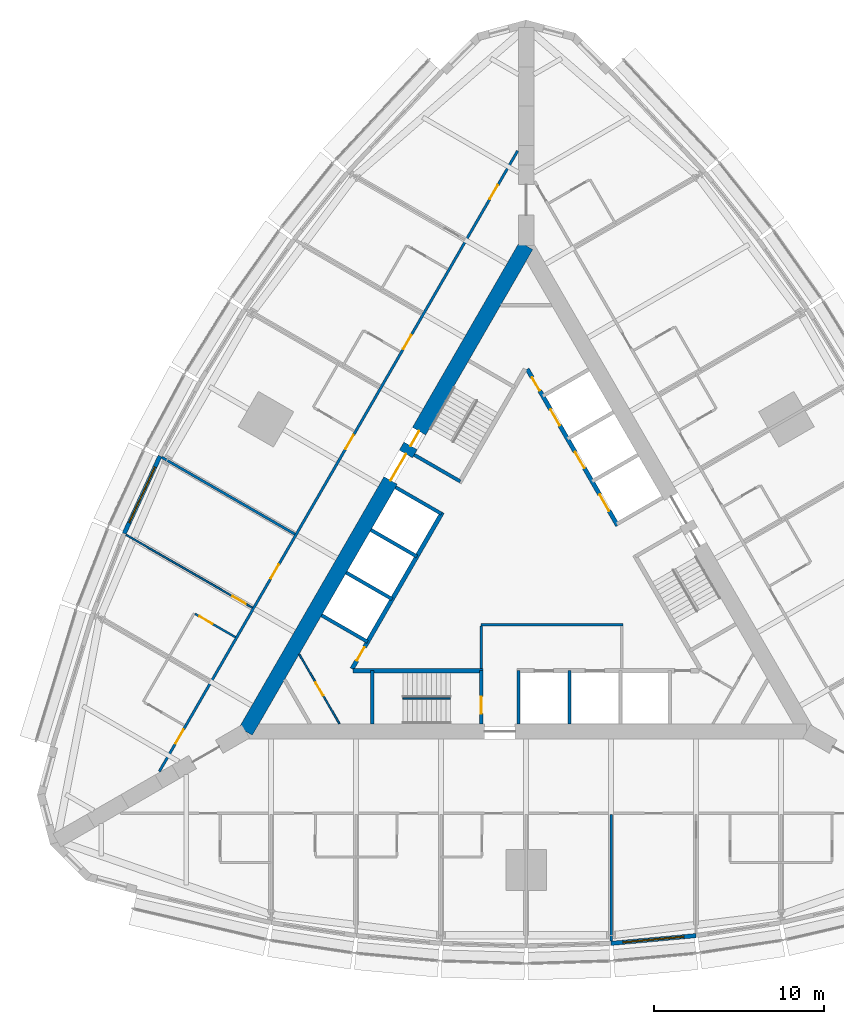
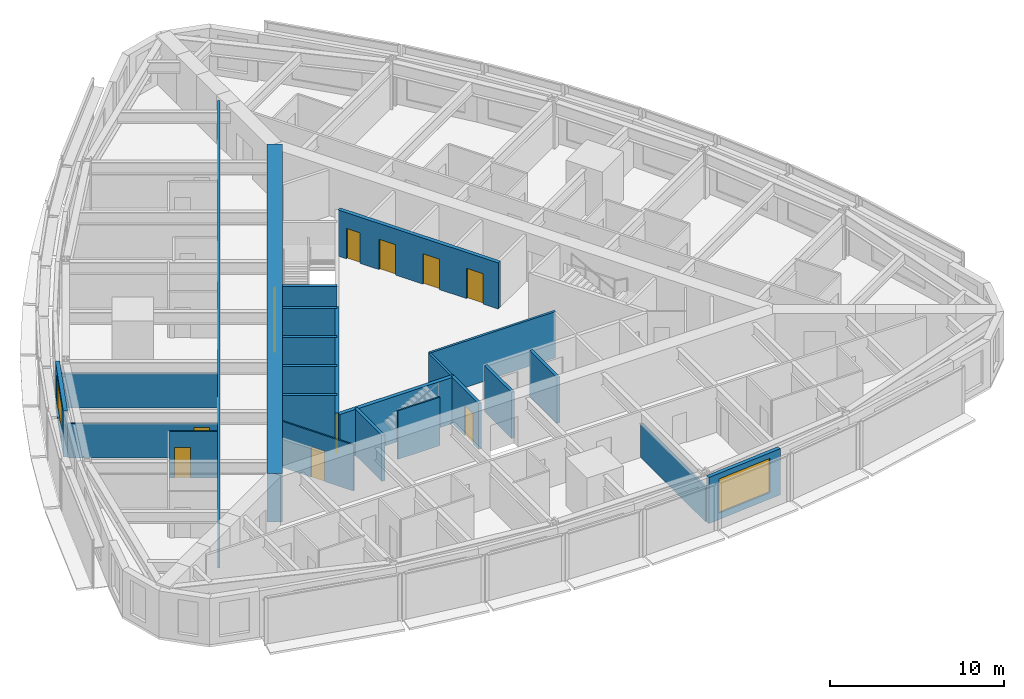
# One storey, part 9 of 14: 24 walls, 16 doors, 2 windows, 18 openings.
"""IFC4 building model written with IfcOpenShell, lengths in metres."""

from ifc_helpers import new_model, si_unit, direction, frame, frame_2d, origin, place, context, subcontext, project, spatial, rectangle, extrude, material, layer, layer_set, type_object, element, fill, save


model = new_model("IFC4")

# Units and contexts
model_context = context("Model", 3, precision=1e-05, world=origin(), true_north=direction((0.0, 1.0)))
body_context = subcontext(model_context, "Body", "Model", "MODEL_VIEW")
ifc_project = project(units=[si_unit("LENGTHUNIT", "METRE"), si_unit("AREAUNIT", "SQUARE_METRE"), si_unit("VOLUMEUNIT", "CUBIC_METRE"), si_unit("PLANEANGLEUNIT", "RADIAN"), si_unit("MASSUNIT", "GRAM", prefix="KILO")], contexts=[model_context])

# Site, building, storey
site_placement = place(None, origin())
site = spatial("IfcSite", under=ifc_project, at=site_placement, CompositionType="ELEMENT")
building_placement = place(site_placement, origin())
building = spatial("IfcBuilding", under=site, at=building_placement, Name="Trikona Tower", CompositionType="ELEMENT")
storey_placement = place(building_placement, frame((0.0, 0.0, 62.5)))
storey = spatial("IfcBuildingStorey", under=building, at=storey_placement, Name="L15", CompositionType="ELEMENT", Elevation=62.5)

# Wall, opening, door
ifc_material_1 = material(Name="Metal stud and cement board", Category="gypsum")
ifc_layer_1 = layer(ifc_material_1, 0.1201171875)
ifc_layer_set_1 = layer_set([ifc_layer_1], Name="Bathroom wall 120")
wall_type_1 = type_object("IfcWallType", Name="Bathroom wall 120", PredefinedType="PLUMBINGWALL", material=ifc_layer_set_1)
wall_1_placement = place(storey_placement, frame((-17.10791015625, -3.979248046875, 0.0), z_axis=(0.0, 0.0, 1.0), x_axis=(-0.865997131366, 0.500048966069, 0.0)))
wall_1 = element("IfcWall", 1, at=wall_1_placement, inside=storey, type_object=wall_type_1, Name="Bathroom wall 1516.1", PredefinedType="PLUMBINGWALL", context=body_context, shape_type="SweptSolid", body=[
    extrude(rectangle(XDim=2.739990234375, YDim=0.1201171875, at=frame_2d((1.3701171875, 0.0))), origin(), (0.0, 0.0, 1.0), 3.235107421875),
])
opening_1_placement = place(wall_1_placement, frame((1.550048828125, 0.0, 0.0)))
opening_1 = element("IfcOpeningElement", 2, at=opening_1_placement, cuts=wall_1, Name="Opening D2", PredefinedType="OPENING", context=body_context, shape_type="SweptSolid", body=[
    extrude(rectangle(XDim=0.89990234375, YDim=2.1298828125, at=frame_2d((0.449951171875, 1.06494140625))), frame((0.0, 0.070068359375, 0.0), z_axis=(0.0, -1.0, 0.0), x_axis=(1.0, 0.0, 0.0)), (0.0, 0.0, 1.0), 0.14013671875),
])
ifc_material_2 = material(Name="Steel door frame with solid-core timber leaf", Category="steel")
door_type_1 = type_object("IfcDoorType", Name="Bathroom door 900x2130", OperationType="SLIDING_TO_LEFT", PredefinedType="DOOR", material=ifc_material_2)
door_1_placement = place(opening_1_placement, origin())
door_1 = element("IfcDoor", 3, at=door_1_placement, inside=storey, type_object=door_type_1, Name="Bathroom door 1516.1", OperationType="SLIDING_TO_LEFT", OverallHeight=2.1298828125, OverallWidth=0.89990234375, PredefinedType="DOOR", context=body_context, shape_type="SweptSolid", body=[
    extrude(rectangle(XDim=0.89990234375, YDim=2.1298828125, at=frame_2d((0.449951171875, 1.06494140625))), frame((0.0, 0.02490234375, 0.0), z_axis=(0.0, -1.0, 0.0), x_axis=(1.0, 0.0, 0.0)), (0.0, 0.0, 1.0), 0.050048828125),
])
fill(opening_1, door_1)

# Wall, openings, doors
ifc_material_3 = material(Name="Concrete f'c 10000 psi", Category="concrete")
ifc_layer_2 = layer(ifc_material_3, 0.89990234375)
ifc_layer_set_2 = layer_set([ifc_layer_2], Name="Core wall 900")
wall_type_2 = type_object("IfcWallType", Name="Core wall 900", PredefinedType="SHEAR", material=ifc_layer_set_2)
wall_2_placement = place(storey_placement, frame((0.0, 19.052490234375, 0.0), z_axis=(0.0, 0.0, 1.0), x_axis=(-0.499999749417, -0.866025548458, 0.0)))
wall_2 = element("IfcWall", 4, at=wall_2_placement, inside=storey, type_object=wall_type_2, Name="Core wall C", PredefinedType="SHEAR", context=body_context, shape_type="SweptSolid", body=[
    extrude(rectangle(XDim=33.0, YDim=0.89990234375, at=frame_2d((16.5, 0.0))), origin(), (0.0, 0.0, 1.0), 3.39990234375),
])
opening_2_placement = place(wall_2_placement, frame((14.14990234375, 0.0, 0.0)))
opening_2 = element("IfcOpeningElement", 5, at=opening_2_placement, cuts=wall_2, Name="Opening D6", PredefinedType="OPENING", context=body_context, shape_type="SweptSolid", body=[
    extrude(rectangle(XDim=1.800048828125, YDim=2.1298828125, at=frame_2d((0.89990234375, 1.06494140625))), frame((0.0, 0.4599609375, 0.0), z_axis=(0.0, -1.0, 0.0), x_axis=(1.0, 0.0, 0.0)), (0.0, 0.0, 1.0), 0.919921875),
])
opening_3_placement = place(wall_2_placement, frame((12.60009765625, 0.0, 0.0)))
opening_3 = element("IfcOpeningElement", 6, at=opening_3_placement, cuts=wall_2, Name="Opening D5", PredefinedType="OPENING", context=body_context, shape_type="SweptSolid", body=[
    extrude(rectangle(XDim=1.0, YDim=2.1298828125, at=frame_2d((0.5, 1.06494140625))), frame((0.0, 0.4599609375, 0.0), z_axis=(0.0, -1.0, 0.0), x_axis=(1.0, 0.0, 0.0)), (0.0, 0.0, 1.0), 0.919921875),
])
ifc_material_4 = material(Name="Hollow metal door and frame", Category="steel")
door_type_2 = type_object("IfcDoorType", Name="Lobby door pair 1800x2130", OperationType="DOUBLE_DOOR_SINGLE_SWING", PredefinedType="DOOR", material=ifc_material_4)
door_2_placement = place(opening_2_placement, origin())
door_2 = element("IfcDoor", 7, at=door_2_placement, inside=storey, type_object=door_type_2, Name="Lift lobby door C", OperationType="DOUBLE_DOOR_SINGLE_SWING", OverallHeight=2.1298828125, OverallWidth=1.800048828125, PredefinedType="DOOR", context=body_context, shape_type="SweptSolid", body=[
    extrude(rectangle(XDim=1.800048828125, YDim=2.1298828125, at=frame_2d((0.89990234375, 1.06494140625))), frame((0.0, 0.02490234375, 0.0), z_axis=(0.0, -1.0, 0.0), x_axis=(1.0, 0.0, 0.0)), (0.0, 0.0, 1.0), 0.050048828125),
])
fill(opening_2, door_2)
ifc_material_5 = material(Name="Hollow metal door and frame", Category="steel")
door_type_3 = type_object("IfcDoorType", Name="Stair door 1000x2130", OperationType="SINGLE_SWING_LEFT", PredefinedType="DOOR", material=ifc_material_5)
door_3_placement = place(opening_3_placement, origin())
door_3 = element("IfcDoor", 8, at=door_3_placement, inside=storey, type_object=door_type_3, Name="Stair C door", OperationType="SINGLE_SWING_RIGHT", OverallHeight=2.1298828125, OverallWidth=1.0, PredefinedType="DOOR", context=body_context, shape_type="SweptSolid", body=[
    extrude(rectangle(XDim=1.0, YDim=2.1298828125, at=frame_2d((0.5, 1.06494140625))), frame((0.0, 0.02490234375, 0.0), z_axis=(0.0, -1.0, 0.0), x_axis=(1.0, 0.0, 0.0)), (0.0, 0.0, 1.0), 0.050048828125),
])
fill(opening_3, door_3)

ifc_material_6 = material(Name="Metal stud and gypsum board, 1-hour", Category="gypsum")
ifc_layer_3 = layer(ifc_material_6, 0.14990234375)
ifc_layer_set_3 = layer_set([ifc_layer_3], Name="Corridor wall 150")
wall_type_3 = type_object("IfcWallType", Name="Corridor wall 150", PredefinedType="PARTITIONING", material=ifc_layer_set_3)
wall_3_placement = place(storey_placement, frame((-0.5, 24.636474609375, 0.0), z_axis=(0.0, 0.0, 1.0), x_axis=(-0.500001915564, -0.86602429783, 0.0)))
wall_3 = element("IfcWall", 9, at=wall_3_placement, inside=storey, type_object=wall_type_3, Name="Corridor wall L15-3", PredefinedType="PARTITIONING", context=body_context, shape_type="SweptSolid", body=[
    extrude(rectangle(XDim=42.171630859375, YDim=0.14990234375, at=frame_2d((21.0859375, 0.0))), origin(), (0.0, 0.0, 1.0), 3.235107421875),
])
opening_4_placement = place(wall_3_placement, frame((2.337646484375, 0.0, 0.0)))
opening_4 = element("IfcOpeningElement", 10, at=opening_4_placement, cuts=wall_3, Name="Opening D1", PredefinedType="OPENING", context=body_context, shape_type="SweptSolid", body=[
    extrude(rectangle(XDim=0.949951171875, YDim=2.1298828125, at=frame_2d((0.47509765625, 1.06494140625))), frame((0.0, 0.0849609375, 0.0), z_axis=(0.0, -1.0, 0.0), x_axis=(1.0, 0.0, 0.0)), (0.0, 0.0, 1.0), 0.169921875),
])
opening_5_placement = place(wall_3_placement, frame((12.510986328125, 0.0, 0.0)))
opening_5 = element("IfcOpeningElement", 11, at=opening_5_placement, cuts=wall_3, Name="Opening D1", PredefinedType="OPENING", context=body_context, shape_type="SweptSolid", body=[
    extrude(rectangle(XDim=0.949951171875, YDim=2.1298828125, at=frame_2d((0.47509765625, 1.06494140625))), frame((0.0, 0.0849609375, 0.0), z_axis=(0.0, -1.0, 0.0), x_axis=(1.0, 0.0, 0.0)), (0.0, 0.0, 1.0), 0.169921875),
])
opening_6_placement = place(wall_3_placement, frame((19.310791015625, 0.0, 0.0)))
opening_6 = element("IfcOpeningElement", 12, at=opening_6_placement, cuts=wall_3, Name="Opening D1", PredefinedType="OPENING", context=body_context, shape_type="SweptSolid", body=[
    extrude(rectangle(XDim=0.949951171875, YDim=2.1298828125, at=frame_2d((0.47509765625, 1.06494140625))), frame((0.0, 0.0849609375, 0.0), z_axis=(0.0, -1.0, 0.0), x_axis=(1.0, 0.0, 0.0)), (0.0, 0.0, 1.0), 0.169921875),
])
opening_7_placement = place(wall_3_placement, frame((28.11083984375, 0.0, 0.0)))
opening_7 = element("IfcOpeningElement", 13, at=opening_7_placement, cuts=wall_3, Name="Opening D1", PredefinedType="OPENING", context=body_context, shape_type="SweptSolid", body=[
    extrude(rectangle(XDim=0.949951171875, YDim=2.1298828125, at=frame_2d((0.47509765625, 1.06494140625))), frame((0.0, 0.0849609375, 0.0), z_axis=(0.0, -1.0, 0.0), x_axis=(1.0, 0.0, 0.0)), (0.0, 0.0, 1.0), 0.169921875),
])
opening_8_placement = place(wall_3_placement, frame((39.310791015625, 0.0, 0.0)))
opening_8 = element("IfcOpeningElement", 14, at=opening_8_placement, cuts=wall_3, Name="Opening D1", PredefinedType="OPENING", context=body_context, shape_type="SweptSolid", body=[
    extrude(rectangle(XDim=0.949951171875, YDim=2.1298828125, at=frame_2d((0.47509765625, 1.06494140625))), frame((0.0, 0.0849609375, 0.0), z_axis=(0.0, -1.0, 0.0), x_axis=(1.0, 0.0, 0.0)), (0.0, 0.0, 1.0), 0.169921875),
])
ifc_material_7 = material(Name="Steel door frame with solid-core timber leaf", Category="steel")
door_type_4 = type_object("IfcDoorType", Name="Guest room door 950x2130", OperationType="SINGLE_SWING_LEFT", PredefinedType="DOOR", material=ifc_material_7)
door_4_placement = place(opening_4_placement, origin())
door_4 = element("IfcDoor", 15, at=door_4_placement, inside=storey, type_object=door_type_4, Name="Room door 1513", OperationType="SINGLE_SWING_LEFT", OverallHeight=2.1298828125, OverallWidth=0.949951171875, PredefinedType="DOOR", context=body_context, shape_type="SweptSolid", body=[
    extrude(rectangle(XDim=0.949951171875, YDim=2.1298828125, at=frame_2d((0.47509765625, 1.06494140625))), frame((0.0, 0.02490234375, 0.0), z_axis=(0.0, -1.0, 0.0), x_axis=(1.0, 0.0, 0.0)), (0.0, 0.0, 1.0), 0.050048828125),
])
fill(opening_4, door_4)
door_5_placement = place(opening_5_placement, origin())
door_5 = element("IfcDoor", 16, at=door_5_placement, inside=storey, type_object=door_type_4, Name="Room door 1514", OperationType="SINGLE_SWING_RIGHT", OverallHeight=2.1298828125, OverallWidth=0.949951171875, PredefinedType="DOOR", context=body_context, shape_type="SweptSolid", body=[
    extrude(rectangle(XDim=0.949951171875, YDim=2.1298828125, at=frame_2d((0.47509765625, 1.06494140625))), frame((0.0, 0.02490234375, 0.0), z_axis=(0.0, -1.0, 0.0), x_axis=(1.0, 0.0, 0.0)), (0.0, 0.0, 1.0), 0.050048828125),
])
fill(opening_5, door_5)
door_6_placement = place(opening_6_placement, origin())
door_6 = element("IfcDoor", 17, at=door_6_placement, inside=storey, type_object=door_type_4, Name="Room door 1515", OperationType="SINGLE_SWING_LEFT", OverallHeight=2.1298828125, OverallWidth=0.949951171875, PredefinedType="DOOR", context=body_context, shape_type="SweptSolid", body=[
    extrude(rectangle(XDim=0.949951171875, YDim=2.1298828125, at=frame_2d((0.47509765625, 1.06494140625))), frame((0.0, 0.02490234375, 0.0), z_axis=(0.0, -1.0, 0.0), x_axis=(1.0, 0.0, 0.0)), (0.0, 0.0, 1.0), 0.050048828125),
])
fill(opening_6, door_6)
door_7_placement = place(opening_7_placement, origin())
door_7 = element("IfcDoor", 18, at=door_7_placement, inside=storey, type_object=door_type_4, Name="Room door 1516", OperationType="SINGLE_SWING_RIGHT", OverallHeight=2.1298828125, OverallWidth=0.949951171875, PredefinedType="DOOR", context=body_context, shape_type="SweptSolid", body=[
    extrude(rectangle(XDim=0.949951171875, YDim=2.1298828125, at=frame_2d((0.47509765625, 1.06494140625))), frame((0.0, 0.02490234375, 0.0), z_axis=(0.0, -1.0, 0.0), x_axis=(1.0, 0.0, 0.0)), (0.0, 0.0, 1.0), 0.050048828125),
])
fill(opening_7, door_7)
door_8_placement = place(opening_8_placement, origin())
door_8 = element("IfcDoor", 19, at=door_8_placement, inside=storey, type_object=door_type_4, Name="Room door 1517", OperationType="SINGLE_SWING_RIGHT", OverallHeight=2.1298828125, OverallWidth=0.949951171875, PredefinedType="DOOR", context=body_context, shape_type="SweptSolid", body=[
    extrude(rectangle(XDim=0.949951171875, YDim=2.1298828125, at=frame_2d((0.47509765625, 1.06494140625))), frame((0.0, 0.02490234375, 0.0), z_axis=(0.0, -1.0, 0.0), x_axis=(1.0, 0.0, 0.0)), (0.0, 0.0, 1.0), 0.050048828125),
])
fill(opening_8, door_8)

# Wall
ifc_material_8 = material(Name="Concrete f'c 8000 psi", Category="concrete")
ifc_layer_4 = layer(ifc_material_8, 0.25)
ifc_layer_set_4 = layer_set([ifc_layer_4], Name="Hub wall 250")
wall_type_4 = type_object("IfcWallType", Name="Hub wall 250", PredefinedType="SOLIDWALL", material=ifc_layer_set_4)
wall_4_placement = place(storey_placement, frame((-10.182861328125, -5.951416015625, 0.0), z_axis=(0.0, 0.0, 1.0), x_axis=(1.0, 0.0, 0.0)))
element("IfcWall", 20, at=wall_4_placement, inside=storey, type_object=wall_type_4, Name="Lift lobby wall A1", PredefinedType="SOLIDWALL", context=body_context, shape_type="SweptSolid", body=[
    extrude(rectangle(XDim=7.6328125, YDim=0.25, at=frame_2d((3.81640625, 0.0))), origin(), (0.0, 0.0, 1.0), 3.235107421875),
])

# Wall, openings, doors
wall_5_placement = place(storey_placement, frame((5.37890625, 2.5859375, 0.0), z_axis=(0.0, 0.0, 1.0), x_axis=(-0.500001375892, 0.866024609411, 0.0)))
wall_5 = element("IfcWall", 21, at=wall_5_placement, inside=storey, type_object=wall_type_4, Name="Lift lobby wall B2", PredefinedType="SOLIDWALL", context=body_context, shape_type="SweptSolid", body=[
    extrude(rectangle(XDim=10.6328125, YDim=0.25, at=frame_2d((5.31640625, 0.0))), origin(), (0.0, 0.0, 1.0), 3.235107421875),
])
opening_9_placement = place(wall_5_placement, frame((9.1640625, 0.0, 0.0)))
opening_9 = element("IfcOpeningElement", 22, at=opening_9_placement, cuts=wall_5, Name="Opening D14", PredefinedType="OPENING", context=body_context, shape_type="SweptSolid", body=[
    extrude(rectangle(XDim=0.89990234375, YDim=2.1298828125, at=frame_2d((0.449951171875, 1.06494140625))), frame((0.0, 0.135009765625, 0.0), z_axis=(0.0, -1.0, 0.0), x_axis=(1.0, 0.0, 0.0)), (0.0, 0.0, 1.0), 0.27001953125),
])
opening_10_placement = place(wall_5_placement, frame((1.0, 0.0, 0.0)))
opening_10 = element("IfcOpeningElement", 23, at=opening_10_placement, cuts=wall_5, Name="Opening LD", PredefinedType="OPENING", context=body_context, shape_type="SweptSolid", body=[
    extrude(rectangle(XDim=1.10009765625, YDim=2.1298828125, at=frame_2d((0.550048828125, 1.06494140625))), frame((0.0, 0.135009765625, 0.0), z_axis=(0.0, -1.0, 0.0), x_axis=(1.0, 0.0, 0.0)), (0.0, 0.0, 1.0), 0.27001953125),
])
opening_11_placement = place(wall_5_placement, frame((3.89990234375, 0.0, 0.0)))
opening_11 = element("IfcOpeningElement", 24, at=opening_11_placement, cuts=wall_5, Name="Opening LD", PredefinedType="OPENING", context=body_context, shape_type="SweptSolid", body=[
    extrude(rectangle(XDim=1.10009765625, YDim=2.1298828125, at=frame_2d((0.550048828125, 1.06494140625))), frame((0.0, 0.135009765625, 0.0), z_axis=(0.0, -1.0, 0.0), x_axis=(1.0, 0.0, 0.0)), (0.0, 0.0, 1.0), 0.27001953125),
])
opening_12_placement = place(wall_5_placement, frame((6.800048828125, 0.0, 0.0)))
opening_12 = element("IfcOpeningElement", 25, at=opening_12_placement, cuts=wall_5, Name="Opening LD", PredefinedType="OPENING", context=body_context, shape_type="SweptSolid", body=[
    extrude(rectangle(XDim=1.10009765625, YDim=2.1298828125, at=frame_2d((0.550048828125, 1.06494140625))), frame((0.0, 0.135009765625, 0.0), z_axis=(0.0, -1.0, 0.0), x_axis=(1.0, 0.0, 0.0)), (0.0, 0.0, 1.0), 0.27001953125),
])
ifc_material_9 = material(Name="Stainless steel lift landing door", Category="steel")
door_type_5 = type_object("IfcDoorType", Name="Lift landing door 1100x2130", OperationType="DOUBLE_DOOR_SLIDING", PredefinedType="USERDEFINED", material=ifc_material_9)
door_9_placement = place(opening_10_placement, origin())
door_9 = element("IfcDoor", 26, at=door_9_placement, inside=storey, type_object=door_type_5, Name="Lift landing door L1-1", ObjectType="LIFT LANDING DOOR", OperationType="DOUBLE_DOOR_SLIDING", OverallHeight=2.1298828125, OverallWidth=1.10009765625, PredefinedType="USERDEFINED", context=body_context, shape_type="SweptSolid", body=[
    extrude(rectangle(XDim=1.10009765625, YDim=2.1298828125, at=frame_2d((0.550048828125, 1.06494140625))), frame((0.0, 0.02490234375, 0.0), z_axis=(0.0, -1.0, 0.0), x_axis=(1.0, 0.0, 0.0)), (0.0, 0.0, 1.0), 0.050048828125),
])
fill(opening_10, door_9)
door_10_placement = place(opening_11_placement, origin())
door_10 = element("IfcDoor", 27, at=door_10_placement, inside=storey, type_object=door_type_5, Name="Lift landing door L1-2", ObjectType="LIFT LANDING DOOR", OperationType="DOUBLE_DOOR_SLIDING", OverallHeight=2.1298828125, OverallWidth=1.10009765625, PredefinedType="USERDEFINED", context=body_context, shape_type="SweptSolid", body=[
    extrude(rectangle(XDim=1.10009765625, YDim=2.1298828125, at=frame_2d((0.550048828125, 1.06494140625))), frame((0.0, 0.02490234375, 0.0), z_axis=(0.0, -1.0, 0.0), x_axis=(1.0, 0.0, 0.0)), (0.0, 0.0, 1.0), 0.050048828125),
])
fill(opening_11, door_10)
door_11_placement = place(opening_12_placement, origin())
door_11 = element("IfcDoor", 28, at=door_11_placement, inside=storey, type_object=door_type_5, Name="Lift landing door L1-3", ObjectType="LIFT LANDING DOOR", OperationType="DOUBLE_DOOR_SLIDING", OverallHeight=2.1298828125, OverallWidth=1.10009765625, PredefinedType="USERDEFINED", context=body_context, shape_type="SweptSolid", body=[
    extrude(rectangle(XDim=1.10009765625, YDim=2.1298828125, at=frame_2d((0.550048828125, 1.06494140625))), frame((0.0, 0.02490234375, 0.0), z_axis=(0.0, -1.0, 0.0), x_axis=(1.0, 0.0, 0.0)), (0.0, 0.0, 1.0), 0.050048828125),
])
fill(opening_12, door_11)
ifc_material_10 = material(Name="Hollow metal door and frame", Category="steel")
door_type_6 = type_object("IfcDoorType", Name="Service room door 900x2130", OperationType="SINGLE_SWING_LEFT", PredefinedType="DOOR", material=ifc_material_10)
door_12_placement = place(opening_9_placement, origin())
door_12 = element("IfcDoor", 29, at=door_12_placement, inside=storey, type_object=door_type_6, Name="Door Ice and vending ICE", OperationType="SINGLE_SWING_RIGHT", OverallHeight=2.1298828125, OverallWidth=0.89990234375, PredefinedType="DOOR", context=body_context, shape_type="SweptSolid", body=[
    extrude(rectangle(XDim=0.89990234375, YDim=2.1298828125, at=frame_2d((0.449951171875, 1.06494140625))), frame((0.0, 0.02490234375, 0.0), z_axis=(0.0, -1.0, 0.0), x_axis=(1.0, 0.0, 0.0)), (0.0, 0.0, 1.0), 0.050048828125),
])
fill(opening_9, door_12)

# Wall, opening, door
wall_6_placement = place(storey_placement, frame((-4.928955078125, 3.365478515625, 0.0), z_axis=(0.0, 0.0, 1.0), x_axis=(-0.499991433582, -0.866030349552, 0.0)))
wall_6 = element("IfcWall", 30, at=wall_6_placement, inside=storey, type_object=wall_type_4, Name="Lift lobby wall C2", PredefinedType="SOLIDWALL", context=body_context, shape_type="SweptSolid", body=[
    extrude(rectangle(XDim=10.633056640625, YDim=0.25, at=frame_2d((5.31640625, 0.0))), origin(), (0.0, 0.0, 1.0), 3.235107421875),
])
opening_13_placement = place(wall_6_placement, frame((9.1640625, 0.0, 0.0)))
opening_13 = element("IfcOpeningElement", 31, at=opening_13_placement, cuts=wall_6, Name="Opening D14", PredefinedType="OPENING", context=body_context, shape_type="SweptSolid", body=[
    extrude(rectangle(XDim=0.89990234375, YDim=2.1298828125, at=frame_2d((0.449951171875, 1.06494140625))), frame((0.0, 0.135009765625, 0.0), z_axis=(0.0, -1.0, 0.0), x_axis=(1.0, 0.0, 0.0)), (0.0, 0.0, 1.0), 0.27001953125),
])
door_13_placement = place(opening_13_placement, origin())
door_13 = element("IfcDoor", 32, at=door_13_placement, inside=storey, type_object=door_type_6, Name="Door Housekeeping store HKS", OperationType="SINGLE_SWING_RIGHT", OverallHeight=2.1298828125, OverallWidth=0.89990234375, PredefinedType="DOOR", context=body_context, shape_type="SweptSolid", body=[
    extrude(rectangle(XDim=0.89990234375, YDim=2.1298828125, at=frame_2d((0.449951171875, 1.06494140625))), frame((0.0, 0.02490234375, 0.0), z_axis=(0.0, -1.0, 0.0), x_axis=(1.0, 0.0, 0.0)), (0.0, 0.0, 1.0), 0.050048828125),
])
fill(opening_13, door_13)

# Wall, opening, window
ifc_material_11 = material(Name="Insulated precast concrete spandrel panel", Category="concrete")
ifc_layer_5 = layer(ifc_material_11, 0.25)
ifc_layer_set_5 = layer_set([ifc_layer_5], Name="Inner skin wall 250")
wall_type_5 = type_object("IfcWallType", Name="Inner skin wall 250", PredefinedType="STANDARD", material=ifc_layer_set_5)
wall_7_placement = place(storey_placement, frame((4.988525390625, -21.995849609375, 0.0), z_axis=(0.0, 0.0, 1.0), x_axis=(0.995857256774, 0.090930325692, 0.0)))
wall_7 = element("IfcWall", 33, at=wall_7_placement, inside=storey, type_object=wall_type_5, Name="External wall L15-05", PredefinedType="STANDARD", context=body_context, shape_type="SweptSolid", body=[
    extrude(rectangle(XDim=5.020751953125, YDim=0.25, at=frame_2d((2.51025390625, 0.0))), origin(), (0.0, 0.0, 1.0), 3.235107421875),
])
opening_14_placement = place(wall_7_placement, frame((0.71044921875, 0.0, 0.449951171875)))
opening_14 = element("IfcOpeningElement", 34, at=opening_14_placement, cuts=wall_7, Name="Opening W3624", PredefinedType="OPENING", context=body_context, shape_type="SweptSolid", body=[
    extrude(rectangle(XDim=3.60009765625, YDim=2.39990234375, at=frame_2d((1.800048828125, 1.199951171875))), frame((0.0, 0.135009765625, 0.0), z_axis=(0.0, -1.0, 0.0), x_axis=(1.0, 0.0, 0.0)), (0.0, 0.0, 1.0), 0.27001953125),
])
ifc_material_12 = material(Name="Aluminium-framed double glazing", Category="aluminium")
window_type = type_object("IfcWindowType", Name="Window 3600x2400", PartitioningType="SINGLE_PANEL", PredefinedType="WINDOW", material=ifc_material_12)
window_1_placement = place(opening_14_placement, origin())
window_1 = element("IfcWindow", 35, at=window_1_placement, inside=storey, type_object=window_type, Name="Window 1505", OverallHeight=2.39990234375, OverallWidth=3.60009765625, PartitioningType="SINGLE_PANEL", PredefinedType="WINDOW", context=body_context, shape_type="SweptSolid", body=[
    extrude(rectangle(XDim=3.60009765625, YDim=2.39990234375, at=frame_2d((1.800048828125, 1.199951171875))), frame((0.0, 0.030029296875, 0.0), z_axis=(0.0, -1.0, 0.0), x_axis=(1.0, 0.0, 0.0)), (0.0, 0.0, 1.0), 0.06005859375),
])
fill(opening_14, window_1)

wall_8_placement = place(storey_placement, frame((-21.543212890625, 6.677734375, 0.0), z_axis=(0.0, 0.0, 1.0), x_axis=(-0.419203100754, -0.907892482796, 0.0)))
wall_8 = element("IfcWall", 36, at=wall_8_placement, inside=storey, type_object=wall_type_5, Name="External wall L15-29", PredefinedType="STANDARD", context=body_context, shape_type="SweptSolid", body=[
    extrude(rectangle(XDim=5.020751953125, YDim=0.25, at=frame_2d((2.51025390625, 0.0))), origin(), (0.0, 0.0, 1.0), 3.235107421875),
])
opening_15_placement = place(wall_8_placement, frame((0.71044921875, 0.0, 0.449951171875)))
opening_15 = element("IfcOpeningElement", 37, at=opening_15_placement, cuts=wall_8, Name="Opening W3624", PredefinedType="OPENING", context=body_context, shape_type="SweptSolid", body=[
    extrude(rectangle(XDim=3.60009765625, YDim=2.39990234375, at=frame_2d((1.800048828125, 1.199951171875))), frame((0.0, 0.135009765625, 0.0), z_axis=(0.0, -1.0, 0.0), x_axis=(1.0, 0.0, 0.0)), (0.0, 0.0, 1.0), 0.27001953125),
])
window_2_placement = place(opening_15_placement, origin())
window_2 = element("IfcWindow", 38, at=window_2_placement, inside=storey, type_object=window_type, Name="Window 1516", OverallHeight=2.39990234375, OverallWidth=3.60009765625, PartitioningType="SINGLE_PANEL", PredefinedType="WINDOW", context=body_context, shape_type="SweptSolid", body=[
    extrude(rectangle(XDim=3.60009765625, YDim=2.39990234375, at=frame_2d((1.800048828125, 1.199951171875))), frame((0.0, 0.030029296875, 0.0), z_axis=(0.0, -1.0, 0.0), x_axis=(1.0, 0.0, 0.0)), (0.0, 0.0, 1.0), 0.06005859375),
])
fill(opening_15, window_2)

# Walls
ifc_material_13 = material(Name="Metal stud and gypsum board, 2-hour shaft wall", Category="gypsum")
ifc_layer_6 = layer(ifc_material_13, 0.14990234375)
ifc_layer_set_6 = layer_set([ifc_layer_6], Name="Lobby wall 150")
wall_type_6 = type_object("IfcWallType", Name="Lobby wall 150", PredefinedType="PARTITIONING", material=ifc_layer_set_6)
wall_9_placement = place(storey_placement, frame((-2.64990234375, -3.251220703125, 0.0), z_axis=(0.0, 0.0, 1.0), x_axis=(1.0, 0.0, 0.0)))
element("IfcWall", 39, at=wall_9_placement, inside=storey, type_object=wall_type_6, Name="Fire service lift lobby wall 1", PredefinedType="PARTITIONING", context=body_context, shape_type="SweptSolid", body=[
    extrude(rectangle(XDim=8.349853515625, YDim=0.14990234375, at=frame_2d((4.1748046875, 0.0))), origin(), (0.0, 0.0, 1.0), 3.235107421875),
])
wall_10_placement = place(storey_placement, frame((-2.64990234375, -5.826416015625, 0.0), z_axis=(0.0, 0.0, 1.0), x_axis=(0.0, 1.0, 0.0)))
element("IfcWall", 40, at=wall_10_placement, inside=storey, type_object=wall_type_6, Name="Fire service lift lobby wall 2", PredefinedType="PARTITIONING", context=body_context, shape_type="SweptSolid", body=[
    extrude(rectangle(XDim=2.5, YDim=0.14990234375, at=frame_2d((1.25, 0.0))), origin(), (0.0, 0.0, 1.0), 3.235107421875),
])
ifc_material_14 = material(Name="Metal stud and gypsum board, 1-hour acoustic", Category="gypsum")
ifc_layer_7 = layer(ifc_material_14, 0.14990234375)
ifc_layer_set_7 = layer_set([ifc_layer_7], Name="Party wall 150")
wall_type_7 = type_object("IfcWallType", Name="Party wall 150", PredefinedType="PARTITIONING", material=ifc_layer_set_7)
wall_11_placement = place(storey_placement, frame((5.0, -14.42626953125, 0.0), z_axis=(0.0, 0.0, 1.0), x_axis=(0.0, -1.0, 0.0)))
element("IfcWall", 41, at=wall_11_placement, inside=storey, type_object=wall_type_7, Name="Partition L15 F1 u5", PredefinedType="PARTITIONING", context=body_context, shape_type="SweptSolid", body=[
    extrude(rectangle(XDim=7.443115234375, YDim=0.14990234375, at=frame_2d((3.7216796875, 0.0))), origin(), (0.0, 0.0, 1.0), 2.38916015625),
])
wall_12_placement = place(storey_placement, frame((-13.60791015625, 2.0830078125, 0.0), z_axis=(0.0, 0.0, 1.0), x_axis=(-0.866028232062, 0.499995101247, 0.0)))
element("IfcWall", 42, at=wall_12_placement, inside=storey, type_object=wall_type_7, Name="Partition L15 F3 u5", PredefinedType="PARTITIONING", context=body_context, shape_type="SweptSolid", body=[
    extrude(rectangle(XDim=9.04296875, YDim=0.14990234375, at=frame_2d((4.521484375, 0.0))), origin(), (0.0, 0.0, 1.0), 2.38916015625),
])
ifc_material_15 = material(Name="Concrete f'c 8000 psi", Category="concrete")
ifc_layer_8 = layer(ifc_material_15, 0.199951171875)
ifc_layer_set_8 = layer_set([ifc_layer_8], Name="Shaft wall 200")
wall_type_8 = type_object("IfcWallType", Name="Shaft wall 200", PredefinedType="SOLIDWALL", material=ifc_layer_set_8)
for number, where, z_axis, x_axis, name in (
    (43, (-0.449951171875, -5.951416015625, 0.0), (0.0, 0.0, 1.0), (0.0, -1.0, 0.0), "Shaft wall A3"),
    (44, (2.550048828125, -5.951416015625, 0.0), (0.0, 0.0, 1.0), (0.0, -1.0, 0.0), "Shaft wall A4"),
    (45, (-4.97900390625, 3.27880859375, 0.0), (0.0, 0.0, 1.0), (-0.866022959057, 0.500004234368, 0.0), "Shaft wall C3"),
    (46, (-6.428955078125, 0.767333984375, 0.0), (0.0, 0.0, 1.0), (-0.866022959057, 0.500004234368, 0.0), "Shaft wall C4"),
    (47, (-7.87890625, -1.744140625, 0.0), (0.0, 0.0, 1.0), (-0.866022959057, 0.500004234368, 0.0), "Shaft wall C5"),
    (48, (-9.3291015625, -4.255615234375, 0.0), (0.0, 0.0, 1.0), (-0.866022959057, 0.500004234368, 0.0), "Shaft wall C6"),
):
    element("IfcWall", number, at=place(storey_placement, frame(where, z_axis=z_axis, x_axis=x_axis)), inside=storey, type_object=wall_type_8, Name=name, PredefinedType="SOLIDWALL", context=body_context, shape_type="SweptSolid", body=[
        extrude(rectangle(XDim=3.125, YDim=0.199951171875, at=frame_2d((1.5625, 0.0))), origin(), (0.0, 0.0, 1.0), 3.235107421875),
    ])
ifc_material_16 = material(Name="Concrete f'c 8000 psi", Category="concrete")
ifc_layer_9 = layer(ifc_material_16, 0.199951171875)
ifc_layer_set_9 = layer_set([ifc_layer_9], Name="Shaft wall 200 load-bearing")
wall_type_9 = type_object("IfcWallType", Name="Shaft wall 200 load-bearing", PredefinedType="SOLIDWALL", material=ifc_layer_set_9)
wall_13_placement = place(storey_placement, frame((-9.050048828125, -5.951416015625, 0.0), z_axis=(0.0, 0.0, 1.0), x_axis=(0.0, -1.0, 0.0)))
element("IfcWall", 49, at=wall_13_placement, inside=storey, type_object=wall_type_9, Name="Shaft wall A1", PredefinedType="SOLIDWALL", context=body_context, shape_type="SweptSolid", body=[
    extrude(rectangle(XDim=3.125, YDim=0.199951171875, at=frame_2d((1.5625, 0.0))), origin(), (0.0, 0.0, 1.0), 3.235107421875),
])

# Wall, opening, door
wall_14_placement = place(storey_placement, frame((-2.64990234375, -5.951416015625, 0.0), z_axis=(0.0, 0.0, 1.0), x_axis=(0.0, -1.0, 0.0)))
wall_14 = element("IfcWall", 50, at=wall_14_placement, inside=storey, type_object=wall_type_9, Name="Shaft wall A2", PredefinedType="SOLIDWALL", context=body_context, shape_type="SweptSolid", body=[
    extrude(rectangle(XDim=3.125, YDim=0.199951171875, at=frame_2d((1.5625, 0.0))), origin(), (0.0, 0.0, 1.0), 3.235107421875),
])
opening_16_placement = place(wall_14_placement, frame((1.52490234375, 0.0, 0.0)))
opening_16 = element("IfcOpeningElement", 51, at=opening_16_placement, cuts=wall_14, Name="Opening D5", PredefinedType="OPENING", context=body_context, shape_type="SweptSolid", body=[
    extrude(rectangle(XDim=1.0, YDim=2.1298828125, at=frame_2d((0.5, 1.06494140625))), frame((0.0, 0.10986328125, 0.0), z_axis=(0.0, -1.0, 0.0), x_axis=(1.0, 0.0, 0.0)), (0.0, 0.0, 1.0), 0.219970703125),
])
door_14_placement = place(opening_16_placement, origin())
door_14 = element("IfcDoor", 52, at=door_14_placement, inside=storey, type_object=door_type_3, Name="Stair A door", OperationType="SINGLE_SWING_RIGHT", OverallHeight=2.1298828125, OverallWidth=1.0, PredefinedType="DOOR", context=body_context, shape_type="SweptSolid", body=[
    extrude(rectangle(XDim=1.0, YDim=2.1298828125, at=frame_2d((0.5, 1.06494140625))), frame((0.0, 0.02490234375, 0.0), z_axis=(0.0, -1.0, 0.0), x_axis=(1.0, 0.0, 0.0)), (0.0, 0.0, 1.0), 0.050048828125),
])
fill(opening_16, door_14)

# Walls
wall_15_placement = place(storey_placement, frame((-3.87890625, 5.18408203125, 0.0), z_axis=(0.0, 0.0, 1.0), x_axis=(-0.866022959057, 0.500004234368, 0.0)))
element("IfcWall", 53, at=wall_15_placement, inside=storey, type_object=wall_type_9, Name="Shaft wall C2", PredefinedType="SOLIDWALL", context=body_context, shape_type="SweptSolid", body=[
    extrude(rectangle(XDim=3.125, YDim=0.199951171875, at=frame_2d((1.5625, 0.0))), origin(), (0.0, 0.0, 1.0), 3.235107421875),
])
ifc_material_17 = material(Name="Concrete f'c 5000 psi", Category="concrete")
ifc_layer_10 = layer(ifc_material_17, 0.10009765625)
ifc_layer_set_10 = layer_set([ifc_layer_10], Name="Stair spine wall 100")
wall_type_10 = type_object("IfcWallType", Name="Stair spine wall 100", PredefinedType="SOLIDWALL", material=ifc_layer_set_10)
wall_16_placement = place(storey_placement, frame((-7.2470703125, -7.576416015625, 0.0), z_axis=(0.0, 0.0, 1.0), x_axis=(1.0, 0.0, 0.0)))
element("IfcWall", 54, at=wall_16_placement, inside=storey, type_object=wall_type_10, Name="Stair A spine wall L15", PredefinedType="SOLIDWALL", context=body_context, shape_type="SweptSolid", body=[
    extrude(rectangle(XDim=2.794189453125, YDim=0.10009765625, at=frame_2d((1.39697265625, 0.0))), origin(), (0.0, 0.0, 1.0), 3.39990234375),
])

# Wall, opening, door
ifc_material_18 = material(Name="Metal stud and gypsum board, acoustic", Category="gypsum")
ifc_layer_11 = layer(ifc_material_18, 0.10009765625)
ifc_layer_set_11 = layer_set([ifc_layer_11], Name="Suite partition 100")
wall_type_11 = type_object("IfcWallType", Name="Suite partition 100", PredefinedType="PARTITIONING", material=ifc_layer_set_11)
wall_17_placement = place(storey_placement, frame((-16.10791015625, -2.2470703125, 0.0), z_axis=(0.0, 0.0, 1.0), x_axis=(-0.866018881988, 0.500011295912, 0.0)))
wall_17 = element("IfcWall", 55, at=wall_17_placement, inside=storey, type_object=wall_type_11, Name="Suite partition L15 F3 u10", PredefinedType="PARTITIONING", context=body_context, shape_type="SweptSolid", body=[
    extrude(rectangle(XDim=8.584716796875, YDim=0.10009765625, at=frame_2d((4.29248046875, 0.0))), origin(), (0.0, 0.0, 1.0), 2.38916015625),
])
opening_17_placement = place(wall_17_placement, frame((0.449951171875, 0.0, 0.0)))
opening_17 = element("IfcOpeningElement", 56, at=opening_17_placement, cuts=wall_17, Name="Opening D13", PredefinedType="OPENING", context=body_context, shape_type="SweptSolid", body=[
    extrude(rectangle(XDim=0.89990234375, YDim=2.1298828125, at=frame_2d((0.449951171875, 1.06494140625))), frame((0.0, 0.06005859375, 0.0), z_axis=(0.0, -1.0, 0.0), x_axis=(1.0, 0.0, 0.0)), (0.0, 0.0, 1.0), 0.1201171875),
])
ifc_material_19 = material(Name="Steel door frame with solid-core timber leaf", Category="steel")
door_type_7 = type_object("IfcDoorType", Name="Suite door 900x2130", OperationType="SINGLE_SWING_LEFT", PredefinedType="DOOR", material=ifc_material_19)
door_15_placement = place(opening_17_placement, origin())
door_15 = element("IfcDoor", 57, at=door_15_placement, inside=storey, type_object=door_type_7, Name="Suite door 1516", OperationType="SINGLE_SWING_LEFT", OverallHeight=2.1298828125, OverallWidth=0.89990234375, PredefinedType="DOOR", context=body_context, shape_type="SweptSolid", body=[
    extrude(rectangle(XDim=0.89990234375, YDim=2.1298828125, at=frame_2d((0.449951171875, 1.06494140625))), frame((0.0, 0.02490234375, 0.0), z_axis=(0.0, -1.0, 0.0), x_axis=(1.0, 0.0, 0.0)), (0.0, 0.0, 1.0), 0.050048828125),
])
fill(opening_17, door_15)

wall_18_placement = place(storey_placement, frame((-10.986328125, -9.076416015625, 0.0), z_axis=(0.0, 0.0, 1.0), x_axis=(-0.499999210213, 0.866025859768, 0.0)))
wall_18 = element("IfcWall", 58, at=wall_18_placement, inside=storey, type_object=wall_type_11, Name="Store partition L15-RS3", PredefinedType="PARTITIONING", context=body_context, shape_type="SweptSolid", body=[
    extrude(rectangle(XDim=4.734375, YDim=0.10009765625, at=frame_2d((2.3671875, 0.0))), origin(), (0.0, 0.0, 1.0), 3.235107421875),
])
opening_18_placement = place(wall_18_placement, frame((1.917236328125, 0.0, 0.0)))
opening_18 = element("IfcOpeningElement", 59, at=opening_18_placement, cuts=wall_18, Name="Opening D15", PredefinedType="OPENING", context=body_context, shape_type="SweptSolid", body=[
    extrude(rectangle(XDim=0.89990234375, YDim=2.1298828125, at=frame_2d((0.449951171875, 1.06494140625))), frame((0.0, 0.06005859375, 0.0), z_axis=(0.0, -1.0, 0.0), x_axis=(1.0, 0.0, 0.0)), (0.0, 0.0, 1.0), 0.1201171875),
])
ifc_material_20 = material(Name="Steel door frame with solid-core timber leaf", Category="steel")
door_type_8 = type_object("IfcDoorType", Name="Store door 900x2130", OperationType="SINGLE_SWING_LEFT", PredefinedType="DOOR", material=ifc_material_20)
door_16_placement = place(opening_18_placement, origin())
door_16 = element("IfcDoor", 60, at=door_16_placement, inside=storey, type_object=door_type_8, Name="Door Cleaner's store CLN", OperationType="SINGLE_SWING_RIGHT", OverallHeight=2.1298828125, OverallWidth=0.89990234375, PredefinedType="DOOR", context=body_context, shape_type="SweptSolid", body=[
    extrude(rectangle(XDim=0.89990234375, YDim=2.1298828125, at=frame_2d((0.449951171875, 1.06494140625))), frame((0.0, 0.02490234375, 0.0), z_axis=(0.0, -1.0, 0.0), x_axis=(1.0, 0.0, 0.0)), (0.0, 0.0, 1.0), 0.050048828125),
])
fill(opening_18, door_16)

save(model, "model.ifc")
